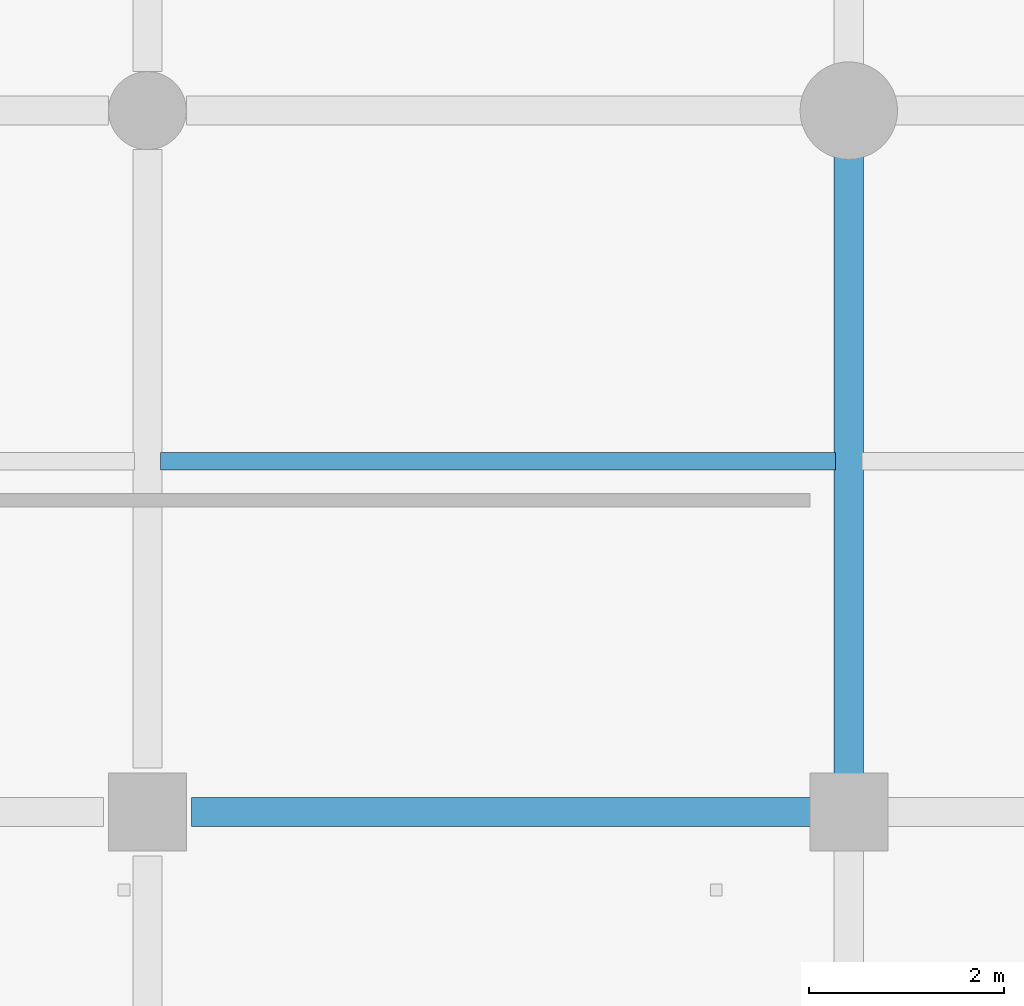
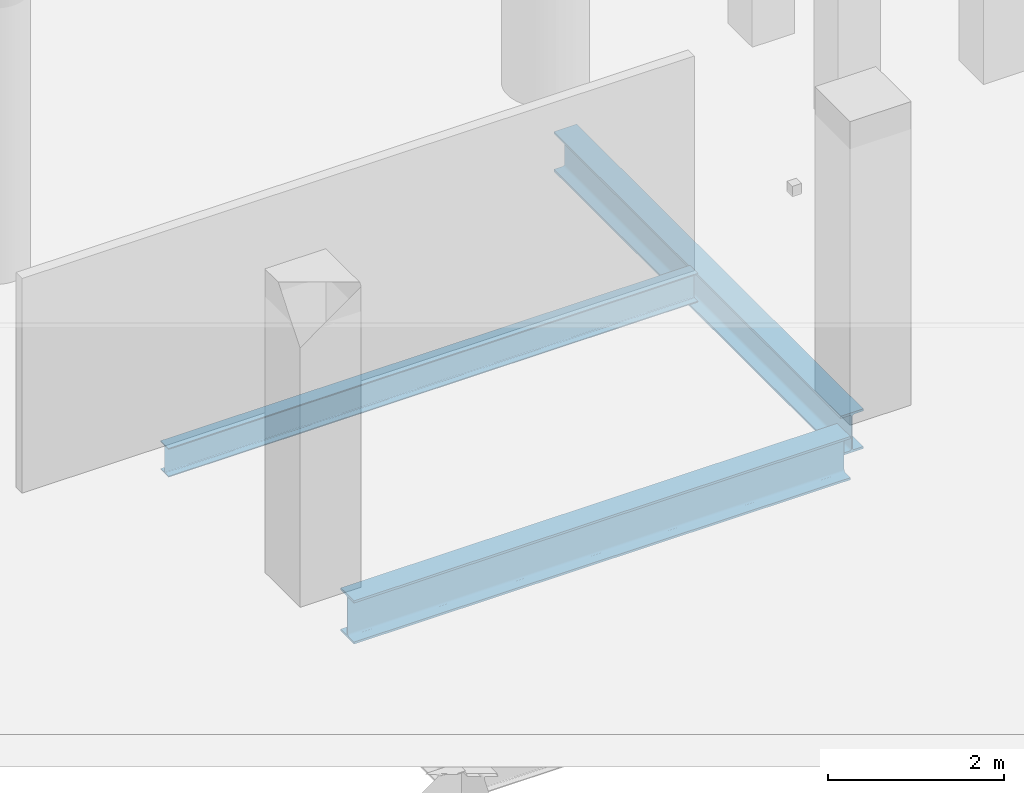
# One storey, part 42 of 153: 3 beams.
"""IFC4 building model written with IfcOpenShell, lengths in metres."""

from ifc_helpers import new_model, si_unit, direction, frame, origin, origin_2d, place, context, subcontext, project, spatial, i_section, extrude, material, material_profile, profile_set, type_object, element, save


model = new_model("IFC4")

# Units and contexts
model_context = context("Model", 3, precision=1e-05, world=origin(), true_north=direction((0.0, 1.0)))
body_context = subcontext(model_context, "Body", "Model", "MODEL_VIEW")
ifc_project = project(units=[si_unit("LENGTHUNIT", "METRE"), si_unit("AREAUNIT", "SQUARE_METRE"), si_unit("VOLUMEUNIT", "CUBIC_METRE"), si_unit("PLANEANGLEUNIT", "RADIAN"), si_unit("MASSUNIT", "GRAM", prefix="KILO")], contexts=[model_context])

# Site, building, storey
site_placement = place(None, origin())
site = spatial("IfcSite", under=ifc_project, at=site_placement, CompositionType="ELEMENT")
building_placement = place(site_placement, origin())
building = spatial("IfcBuilding", under=site, at=building_placement, Name="Qandorah Velis Arena", CompositionType="ELEMENT")
storey_placement = place(building_placement, frame((0.0, 0.0, 5.39990234375)))
storey = spatial("IfcBuildingStorey", under=building, at=storey_placement, Name="L01", CompositionType="ELEMENT", Elevation=5.39990234375)

# Beams
ifc_material = material(Name="Steel S355", Category="steel")
ifc_material_profile_1 = material_profile(ifc_material, i_section(OverallWidth=0.300048828125, OverallDepth=0.550048828125, WebThickness=0.014892578125, FlangeThickness=0.029052734375, FilletRadius=0.027099609375, at=origin_2d()), Name="HEB 550")
ifc_profile_set_1 = profile_set([ifc_material_profile_1], Name="Steel S355")
beam_type_1 = type_object("IfcBeamType", Name="STR-BM-HEB550", PredefinedType="BEAM", material=ifc_profile_set_1)
beam_1_placement = place(storey_placement, frame((14.39990234375, 65.050048828125, -0.635009765625), z_axis=(0.0, 1.0, 0.0), x_axis=(-1.0, 0.0, 0.0)))
element("IfcBeam", 1, at=beam_1_placement, inside=storey, type_object=beam_type_1, Name="Primary floor girder L01 Y-265", PredefinedType="BEAM", context=body_context, shape_type="SweptSolid", body=[
    extrude(i_section(OverallWidth=0.300048828125, OverallDepth=0.550048828125, WebThickness=0.014892578125, FlangeThickness=0.029052734375, FilletRadius=0.027099609375, at=origin_2d()), origin(), (0.0, 0.0, 1.0), 6.5),
])
ifc_material_profile_2 = material_profile(ifc_material, i_section(OverallWidth=0.300048828125, OverallDepth=0.60009765625, WebThickness=0.015380859375, FlangeThickness=0.030029296875, FilletRadius=0.027099609375, at=origin_2d()), Name="HEB 600")
ifc_profile_set_2 = profile_set([ifc_material_profile_2], Name="Steel S355")
beam_type_2 = type_object("IfcBeamType", Name="STR-BM-HEB600", PredefinedType="BEAM", material=ifc_profile_set_2)
beam_2_placement = place(storey_placement, frame((7.64990234375, 64.800048828125, -0.659912109375), z_axis=(1.0, 0.0, 0.0), x_axis=(0.0, 1.0, 0.0)))
element("IfcBeam", 2, at=beam_2_placement, inside=storey, type_object=beam_type_2, Name="Primary floor girder L01 X-110", PredefinedType="BEAM", context=body_context, shape_type="SweptSolid", body=[
    extrude(i_section(OverallWidth=0.300048828125, OverallDepth=0.60009765625, WebThickness=0.015380859375, FlangeThickness=0.030029296875, FilletRadius=0.027099609375, at=origin_2d()), origin(), (0.0, 0.0, 1.0), 6.5),
])
ifc_material_profile_3 = material_profile(ifc_material, i_section(OverallWidth=0.179931640625, OverallDepth=0.39990234375, WebThickness=0.008544921875, FlangeThickness=0.013427734375, FilletRadius=0.02099609375, at=origin_2d()), Name="IPE 400")
ifc_profile_set_3 = profile_set([ifc_material_profile_3], Name="Steel S355")
beam_type_3 = type_object("IfcBeamType", Name="STR-JST-IPE400", PredefinedType="JOIST", material=ifc_profile_set_3)
beam_3_placement = place(storey_placement, frame((7.3349609375, 68.39990234375, -0.559814453125), z_axis=(1.0, 0.0, 0.0), x_axis=(0.0, 1.0, 0.0)))
element("IfcBeam", 3, at=beam_3_placement, inside=storey, type_object=beam_type_3, Name="Secondary floor joist L01-024", PredefinedType="JOIST", context=body_context, shape_type="SweptSolid", body=[
    extrude(i_section(OverallWidth=0.179931640625, OverallDepth=0.39990234375, WebThickness=0.008544921875, FlangeThickness=0.013427734375, FilletRadius=0.02099609375, at=origin_2d()), origin(), (0.0, 0.0, 1.0), 6.929931640625),
])

save(model, "model.ifc")
